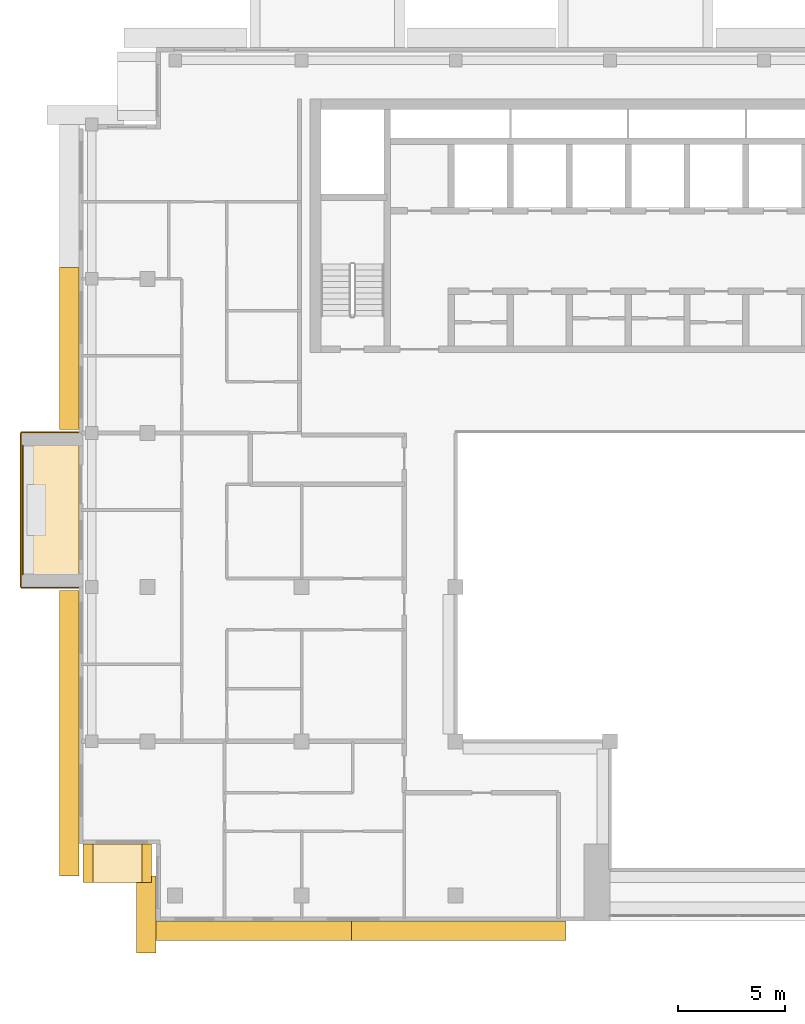
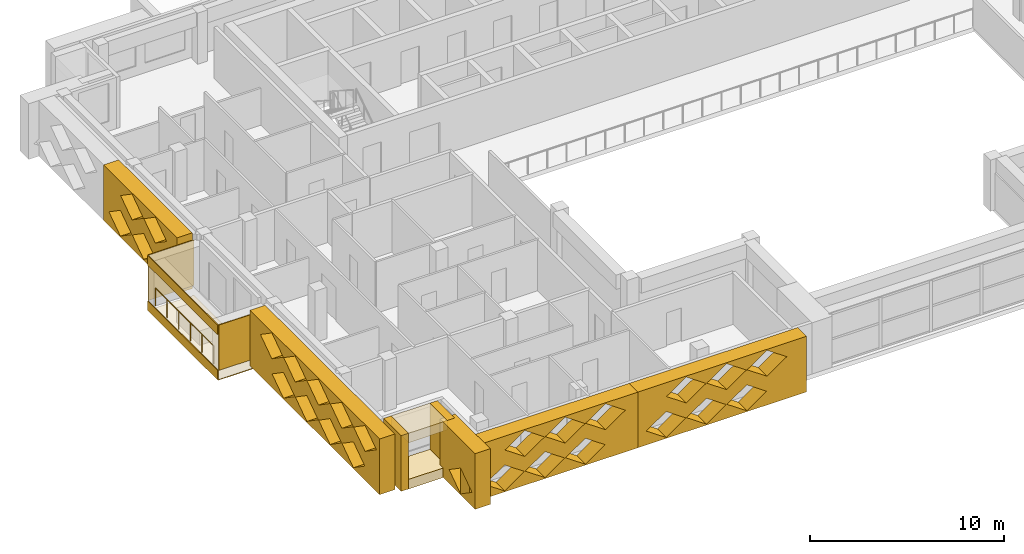
# One storey, part 13 of 19: 14 coverings, 1 railing.
"""IFC4 building model written with IfcOpenShell, lengths in metres."""

from ifc_helpers import new_model, si_unit, direction, frame, origin, origin_2d, place, context, subcontext, project, spatial, polyline, circle, outline, extrude, material, layer, layer_set, type_object, element, save


model = new_model("IFC4")

# Units and contexts
model_context = context("Model", 3, precision=1e-05, world=origin(), true_north=direction((0.0, 1.0)))
body_context = subcontext(model_context, "Body", "Model", "MODEL_VIEW")
ifc_project = project(units=[si_unit("LENGTHUNIT", "METRE"), si_unit("AREAUNIT", "SQUARE_METRE"), si_unit("VOLUMEUNIT", "CUBIC_METRE"), si_unit("PLANEANGLEUNIT", "RADIAN"), si_unit("MASSUNIT", "GRAM", prefix="KILO")], contexts=[model_context])

# Site, building, storey
site_placement = place(None, origin())
site = spatial("IfcSite", under=ifc_project, at=site_placement, CompositionType="ELEMENT")
building_placement = place(site_placement, origin())
building = spatial("IfcBuilding", under=site, at=building_placement, Name="Saffron Iwan Residences", CompositionType="ELEMENT")
storey_placement = place(building_placement, frame((0.0, 0.0, 264.0)))
storey = spatial("IfcBuildingStorey", under=building, at=storey_placement, Name="L71", CompositionType="ELEMENT", Elevation=264.0)

# Railing
ifc_material_1 = material(Name="Stainless steel 316", Category="steel")
railing_type = type_object("IfcRailingType", Name="BALCONY GUARD 1150", PredefinedType="GUARDRAIL", material=ifc_material_1)
railing_placement = place(storey_placement, frame((15.77490234375, 61.800048828125, 0.0)))
element("IfcRailing", 1, at=railing_placement, inside=storey, type_object=railing_type, Name="Balcony guard L71 F8-0", PredefinedType="GUARDRAIL", context=body_context, shape_type="SweptSolid", body=[
    extrude(circle(Radius=0.02392578125, at=origin_2d()), frame((0.0, 0.0, 1.1259765625), z_axis=(0.0, -1.0, 0.0), x_axis=(1.0, 0.0, 0.0)), (0.0, 0.0, 1.0), 6.0),
    extrude(circle(Radius=0.02099609375, at=origin_2d()), origin(), (0.0, 0.0, 1.0), 1.101806640625),
    extrude(circle(Radius=0.02099609375, at=origin_2d()), frame((0.0, -1.199951171875, 0.0)), (0.0, 0.0, 1.0), 1.101806640625),
    extrude(circle(Radius=0.02099609375, at=origin_2d()), frame((0.0, -2.39990234375, 0.0)), (0.0, 0.0, 1.0), 1.101806640625),
    extrude(circle(Radius=0.02099609375, at=origin_2d()), frame((0.0, -3.60009765625, 0.0)), (0.0, 0.0, 1.0), 1.101806640625),
    extrude(circle(Radius=0.02099609375, at=origin_2d()), frame((0.0, -4.800048828125, 0.0)), (0.0, 0.0, 1.0), 1.101806640625),
    extrude(circle(Radius=0.02099609375, at=origin_2d()), frame((0.0, -6.0, 0.0)), (0.0, 0.0, 1.0), 1.101806640625),
])

# Coverings
ifc_material_2 = material(Name="Precast concrete C40/50 white painted", Category="concrete")
ifc_layer = layer(ifc_material_2, 0.050048828125)
ifc_layer_set = layer_set([ifc_layer], Name="Precast concrete C40/50 white painted")
covering_type_1 = type_object("IfcCoveringType", Name="FRAME SKIN PRECAST WHITE 50", PredefinedType="CLADDING", material=ifc_layer_set)
for number, where, name in (
    (2, (0.0, 0.0, -0.60009765625), "Frame skin slab edge L71 F8-0"),
    (3, (0.0, 0.0, 2.25), "Frame skin fascia L71 F8-0"),
):
    element("IfcCovering", number, at=place(storey_placement, frame(where)), inside=storey, type_object=covering_type_1, Name=name, PredefinedType="CLADDING", context=body_context, shape_type="SweptSolid", body=[
        extrude(outline(polyline([(15.64990234375, 62.39990234375), (15.64990234375, 55.199951171875), (15.699951171875, 55.199951171875), (15.699951171875, 62.39990234375), (15.64990234375, 62.39990234375)])), origin(), (0.0, 0.0, 1.0), 0.60009765625),
    ])
covering_1_placement = place(storey_placement, frame((0.0, 0.0, -0.64990234375)))
element("IfcCovering", 4, at=covering_1_placement, inside=storey, type_object=covering_type_1, Name="Frame skin soffit L71 F8-0", PredefinedType="CLADDING", context=body_context, shape_type="SweptSolid", body=[
    extrude(outline(polyline([(15.699951171875, 62.39990234375), (15.699951171875, 55.199951171875), (18.39990234375, 55.199951171875), (18.39990234375, 62.39990234375), (15.699951171875, 62.39990234375)])), origin(), (0.0, 0.0, 1.0), 0.0498046875),
])
covering_2_placement = place(storey_placement, origin())
element("IfcCovering", 5, at=covering_2_placement, inside=storey, type_object=covering_type_1, Name="Frame skin fin L71 F8-0a", PredefinedType="CLADDING", context=body_context, shape_type="SweptSolid", body=[
    extrude(outline(polyline([(15.699951171875, 62.449951171875), (15.699951171875, 62.39990234375), (18.39990234375, 62.39990234375), (18.39990234375, 62.449951171875), (15.699951171875, 62.449951171875)])), origin(), (0.0, 0.0, 1.0), 2.85009765625),
])
covering_3_placement = place(storey_placement, origin())
element("IfcCovering", 6, at=covering_3_placement, inside=storey, type_object=covering_type_1, Name="Frame skin fin L71 F8-0b", PredefinedType="CLADDING", context=body_context, shape_type="SweptSolid", body=[
    extrude(outline(polyline([(15.699951171875, 55.199951171875), (15.699951171875, 55.14990234375), (18.39990234375, 55.14990234375), (18.39990234375, 55.199951171875), (15.699951171875, 55.199951171875)])), origin(), (0.0, 0.0, 1.0), 2.85009765625),
])
ifc_material_3 = material(Name="Precast concrete C40/50", Category="concrete")
covering_type_2 = type_object("IfcCoveringType", Name="OUTER SKIN LATTICE SCREEN", PredefinedType="CLADDING", material=ifc_material_3)
covering_4_placement = place(storey_placement, frame((18.39990234375, 70.125, -0.280029296875), z_axis=(-1.0, 0.0, 0.0), x_axis=(0.0, -1.0, 0.0)))
element("IfcCovering", 7, at=covering_4_placement, inside=storey, type_object=covering_type_2, Name="OUTER SKIN lattice screen L71 F8.1", PredefinedType="CLADDING", context=body_context, shape_type="SweptSolid", body=[
    extrude(outline(polyline([(0.0, 0.0), (7.574951171875, 0.0), (7.574951171875, 3.5), (0.0, 3.5), (0.0, 0.0)]), holes=[polyline([(0.544921875, 0.875), (1.72509765625, 0.06005859375), (2.905029296875, 0.875), (1.72509765625, 1.68994140625), (0.544921875, 0.875)]), polyline([(2.945068359375, 0.875), (4.125, 0.06005859375), (5.304931640625, 0.875), (4.125, 1.68994140625), (2.945068359375, 0.875)]), polyline([(1.7451171875, 2.625), (2.925048828125, 1.81005859375), (4.10498046875, 2.625), (2.925048828125, 3.43994140625), (1.7451171875, 2.625)]), polyline([(4.14501953125, 2.625), (5.324951171875, 1.81005859375), (6.5048828125, 2.625), (5.324951171875, 3.43994140625), (4.14501953125, 2.625)])]), origin(), (0.0, 0.0, 1.0), 0.89990234375),
])
covering_5_placement = place(storey_placement, frame((18.39990234375, 55.050048828125, -0.280029296875), z_axis=(-1.0, 0.0, 0.0), x_axis=(0.0, -1.0, 0.0)))
element("IfcCovering", 8, at=covering_5_placement, inside=storey, type_object=covering_type_2, Name="OUTER SKIN lattice screen L71 F8.2", PredefinedType="CLADDING", context=body_context, shape_type="SweptSolid", body=[
    extrude(outline(polyline([(0.0, 0.0), (13.35009765625, 0.0), (13.35009765625, 3.5), (0.0, 3.5), (0.0, 0.0)]), holes=[polyline([(2.27001953125, 0.875), (3.449951171875, 0.06005859375), (4.6298828125, 0.875), (3.449951171875, 1.68994140625), (2.27001953125, 0.875)]), polyline([(4.669921875, 0.875), (5.85009765625, 0.06005859375), (7.030029296875, 0.875), (5.85009765625, 1.68994140625), (4.669921875, 0.875)]), polyline([(7.070068359375, 0.875), (8.25, 0.06005859375), (9.429931640625, 0.875), (8.25, 1.68994140625), (7.070068359375, 0.875)]), polyline([(9.469970703125, 0.875), (10.64990234375, 0.06005859375), (11.830078125, 0.875), (10.64990234375, 1.68994140625), (9.469970703125, 0.875)]), polyline([(1.070068359375, 2.625), (2.25, 1.81005859375), (3.429931640625, 2.625), (2.25, 3.43994140625), (1.070068359375, 2.625)]), polyline([(3.469970703125, 2.625), (4.64990234375, 1.81005859375), (5.830078125, 2.625), (4.64990234375, 3.43994140625), (3.469970703125, 2.625)]), polyline([(5.8701171875, 2.625), (7.050048828125, 1.81005859375), (8.22998046875, 2.625), (7.050048828125, 3.43994140625), (5.8701171875, 2.625)]), polyline([(8.27001953125, 2.625), (9.449951171875, 1.81005859375), (10.6298828125, 2.625), (9.449951171875, 3.43994140625), (8.27001953125, 2.625)]), polyline([(10.669921875, 2.625), (11.85009765625, 1.81005859375), (13.030029296875, 2.625), (11.85009765625, 3.43994140625), (10.669921875, 2.625)])]), origin(), (0.0, 0.0, 1.0), 0.89990234375),
])
covering_6_placement = place(storey_placement, frame((22.0, 41.699951171875, -0.280029296875), z_axis=(-1.0, 0.0, 0.0), x_axis=(0.0, -1.0, 0.0)))
element("IfcCovering", 9, at=covering_6_placement, inside=storey, type_object=covering_type_2, Name="OUTER SKIN lattice screen L71 F10.0", PredefinedType="CLADDING", context=body_context, shape_type="SweptSolid", body=[
    extrude(outline(polyline([(0.0, 0.0), (3.60009765625, 0.0), (3.60009765625, 3.5), (0.0, 3.5), (0.0, 0.0)]), holes=[polyline([(0.919921875, 0.875), (2.10009765625, 0.06005859375), (3.280029296875, 0.875), (2.10009765625, 1.68994140625), (0.919921875, 0.875)])]), origin(), (0.0, 0.0, 1.0), 0.89990234375),
])
covering_7_placement = place(storey_placement, frame((21.10009765625, 39.60009765625, -0.280029296875), z_axis=(0.0, -1.0, 0.0), x_axis=(1.0, 0.0, 0.0)))
element("IfcCovering", 10, at=covering_7_placement, inside=storey, type_object=covering_type_2, Name="OUTER SKIN lattice screen L71 F11.0", PredefinedType="CLADDING", context=body_context, shape_type="SweptSolid", body=[
    extrude(outline(polyline([(0.0, 0.0), (10.02490234375, 0.0), (10.02490234375, 3.5), (0.0, 3.5), (0.0, 0.0)]), holes=[polyline([(0.919921875, 0.875), (2.10009765625, 0.06005859375), (3.280029296875, 0.875), (2.10009765625, 1.68994140625), (0.919921875, 0.875)]), polyline([(3.320068359375, 0.875), (4.5, 0.06005859375), (5.679931640625, 0.875), (4.5, 1.68994140625), (3.320068359375, 0.875)]), polyline([(5.719970703125, 0.875), (6.89990234375, 0.06005859375), (8.080078125, 0.875), (6.89990234375, 1.68994140625), (5.719970703125, 0.875)]), polyline([(2.1201171875, 2.625), (3.300048828125, 1.81005859375), (4.47998046875, 2.625), (3.300048828125, 3.43994140625), (2.1201171875, 2.625)]), polyline([(4.52001953125, 2.625), (5.699951171875, 1.81005859375), (6.8798828125, 2.625), (5.699951171875, 3.43994140625), (4.52001953125, 2.625)]), polyline([(6.919921875, 2.625), (8.10009765625, 1.81005859375), (9.280029296875, 2.625), (8.10009765625, 3.43994140625), (6.919921875, 2.625)])]), origin(), (0.0, 0.0, 1.0), 0.900146484375),
])
covering_8_placement = place(storey_placement, frame((31.125, 39.60009765625, -0.280029296875), z_axis=(0.0, -1.0, 0.0), x_axis=(1.0, 0.0, 0.0)))
element("IfcCovering", 11, at=covering_8_placement, inside=storey, type_object=covering_type_2, Name="OUTER SKIN lattice screen L71 F11.1", PredefinedType="CLADDING", context=body_context, shape_type="SweptSolid", body=[
    extrude(outline(polyline([(0.0, 0.0), (10.02490234375, 0.0), (10.02490234375, 3.5), (0.0, 3.5), (0.0, 0.0)]), holes=[polyline([(0.4951171875, 0.875), (1.675048828125, 0.06005859375), (2.85498046875, 0.875), (1.675048828125, 1.68994140625), (0.4951171875, 0.875)]), polyline([(2.89501953125, 0.875), (4.074951171875, 0.06005859375), (5.2548828125, 0.875), (4.074951171875, 1.68994140625), (2.89501953125, 0.875)]), polyline([(5.294921875, 0.875), (6.47509765625, 0.06005859375), (7.655029296875, 0.875), (6.47509765625, 1.68994140625), (5.294921875, 0.875)]), polyline([(1.695068359375, 2.625), (2.875, 1.81005859375), (4.054931640625, 2.625), (2.875, 3.43994140625), (1.695068359375, 2.625)]), polyline([(4.094970703125, 2.625), (5.27490234375, 1.81005859375), (6.455078125, 2.625), (5.27490234375, 3.43994140625), (4.094970703125, 2.625)]), polyline([(6.4951171875, 2.625), (7.675048828125, 1.81005859375), (8.85498046875, 2.625), (7.675048828125, 3.43994140625), (6.4951171875, 2.625)])]), origin(), (0.0, 0.0, 1.0), 0.900146484375),
])
covering_type_3 = type_object("IfcCoveringType", Name="WHITE SUN FRAME PRECAST", PredefinedType="CLADDING", material=ifc_material_2)
for number, where, z_axis, x_axis, name in (
    (12, (18.60009765625, 43.199951171875, -0.280029296875), (0.0, -1.0, 0.0), (1.0, 0.0, 0.0), "Sun frame L71 F9 0.2a"),
    (13, (21.35009765625, 43.199951171875, -0.280029296875), (0.0, -1.0, 0.0), (1.0, 0.0, 0.0), "Sun frame L71 F9 0.2b"),
):
    element("IfcCovering", number, at=place(storey_placement, frame(where, z_axis=z_axis, x_axis=x_axis)), inside=storey, type_object=covering_type_3, Name=name, PredefinedType="CLADDING", context=body_context, shape_type="SweptSolid", body=[
        extrude(outline(polyline([(0.0, 0.0), (0.449951171875, 0.0), (0.449951171875, 3.5), (0.0, 3.5), (0.0, 0.0)])), origin(), (0.0, 0.0, 1.0), 1.800048828125),
    ])
for number, where, z_axis, x_axis, name in (
    (14, (19.050048828125, 43.199951171875, 2.6201171875), (0.0, -1.0, 0.0), (1.0, 0.0, 0.0), "Sun frame L71 F9 0.2h"),
    (15, (19.050048828125, 43.199951171875, -0.280029296875), (0.0, -1.0, 0.0), (1.0, 0.0, 0.0), "Sun frame L71 F9 0.2s"),
):
    element("IfcCovering", number, at=place(storey_placement, frame(where, z_axis=z_axis, x_axis=x_axis)), inside=storey, type_object=covering_type_3, Name=name, PredefinedType="CLADDING", context=body_context, shape_type="SweptSolid", body=[
        extrude(outline(polyline([(0.0, 0.0), (2.300048828125, 0.0), (2.300048828125, 0.60009765625), (0.0, 0.60009765625), (0.0, 0.0)])), origin(), (0.0, 0.0, 1.0), 1.800048828125),
    ])

save(model, "model.ifc")
